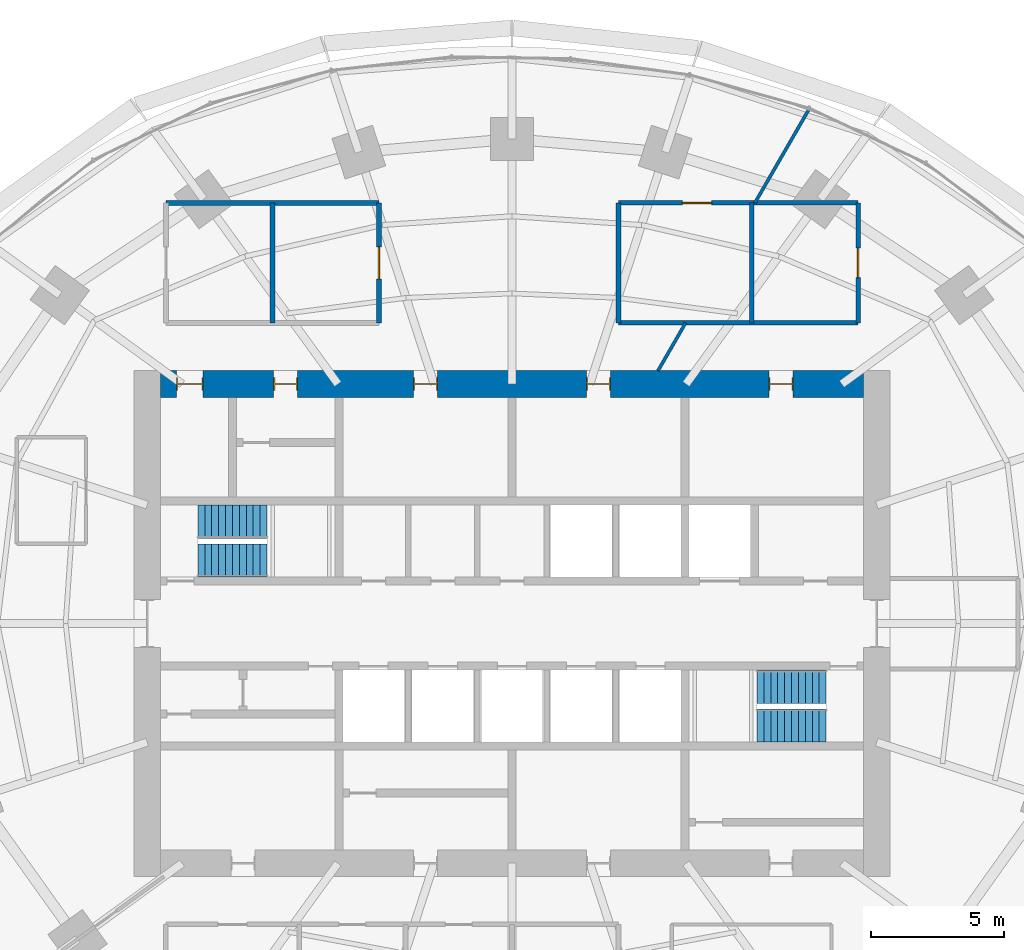
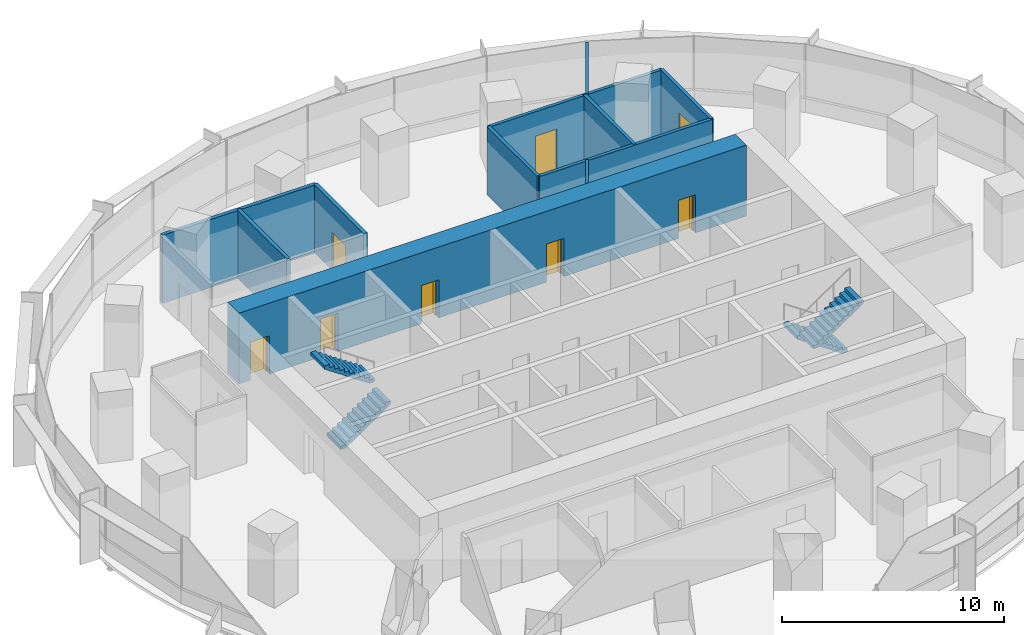
# One storey, part 12 of 14: 11 walls, 8 doors, 4 stair flights, 8 openings, 2 elements without a shape of their own.
"""IFC4 building model written with IfcOpenShell, lengths in metres."""

import ifcopenshell
import ifcopenshell.guid

model = None  # the IFC model being written
_history = None  # IfcOwnerHistory: only IFC2X3 demands one
_inside = {}  # id of a spatial element -> (the spatial element, [elements in it])
_under = {}  # id of a project, library or spatial element -> (it, [spatial elements below it])
_declared = {}  # id of a project -> (the project, [libraries it declares])
_typed = {}  # id of a type object -> (the type object, [elements of that type])
_made_of = {}  # id of a material, layer set ... -> (it, [elements and type objects made of it])


def new_model(schema):
    """Start an empty IFC model of exactly this schema.

    Asked for "IFC4X3", IfcOpenShell would pick the latest addendum, in which some entities
    have other attributes; the version numbers below select the first issue.
    IFC2X3 requires an IfcOwnerHistory on every rooted entity: one is made here for all.
    """
    global model, _history
    if schema == "IFC4X3":
        model = ifcopenshell.file(schema_version=(4, 3, 0, 0))
    else:
        model = ifcopenshell.file(schema=schema)
    _inside.clear()
    _under.clear()
    _declared.clear()
    _typed.clear()
    _made_of.clear()
    _history = None
    if model.schema == "IFC2X3":
        org = make("IfcOrganization", Name="unknown")
        user = make(
            "IfcPersonAndOrganization",
            ThePerson=make("IfcPerson", FamilyName="unknown"),
            TheOrganization=org,
        )
        app = make(
            "IfcApplication",
            ApplicationDeveloper=org,
            Version="unknown",
            ApplicationFullName="unknown",
            ApplicationIdentifier="unknown",
        )
        _history = make(
            "IfcOwnerHistory",
            OwningUser=user,
            OwningApplication=app,
            ChangeAction="ADDED",
            CreationDate=0,
        )
    return model


def make(cls, **values):
    """One entity of the class cls with the attributes given. An attribute that is None is left unset."""
    return model.create_entity(
        cls, **{name: value for name, value in values.items() if value is not None}
    )


def rooted(cls, **values):
    """An entity with a GlobalId (a new one), such as an element, a storey or a relation."""
    return make(cls, GlobalId=ifcopenshell.guid.new(), OwnerHistory=_history, **values)


def si_unit(unit_type, name, prefix=None):
    """IfcSIUnit, for example si_unit("LENGTHUNIT", "METRE", prefix="MILLI")."""
    return make("IfcSIUnit", UnitType=unit_type, Prefix=prefix, Name=name)


def assignment(units):
    """IfcUnitAssignment: the units of a project."""
    return None if units is None else make("IfcUnitAssignment", Units=units)


def point(xyz):
    """IfcCartesianPoint."""
    return None if xyz is None else make("IfcCartesianPoint", Coordinates=xyz)


def direction(xyz):
    """IfcDirection."""
    return None if xyz is None else make("IfcDirection", DirectionRatios=xyz)


def frame(location, z_axis=None, x_axis=None):
    """IfcAxis2Placement3D, a coordinate frame: its origin and axes. An axis left out is left unset."""
    return make(
        "IfcAxis2Placement3D",
        Location=point(location),
        Axis=direction(z_axis),
        RefDirection=direction(x_axis),
    )


def frame_2d(location, x_axis=None):
    """IfcAxis2Placement2D, a coordinate frame in the plane: its origin and x axis."""
    return make(
        "IfcAxis2Placement2D", Location=point(location), RefDirection=direction(x_axis)
    )


def origin():
    """The frame at (0, 0, 0) with its axes left unset."""
    return frame((0.0, 0.0, 0.0))


def place(relative_to, where):
    """IfcLocalPlacement: puts the frame where relative to a parent placement (None: the world)."""
    return make(
        "IfcLocalPlacement", PlacementRelTo=relative_to, RelativePlacement=where
    )


def context(
    kind, dimensions, precision=None, world=None, true_north=None, identifier=None
):
    """IfcGeometricRepresentationContext, for example the 3D "Model" context."""
    return make(
        "IfcGeometricRepresentationContext",
        ContextIdentifier=identifier,
        ContextType=kind,
        CoordinateSpaceDimension=dimensions,
        Precision=precision,
        WorldCoordinateSystem=world,
        TrueNorth=true_north,
    )


def subcontext(parent, identifier, kind, view, scale=None):
    """IfcGeometricRepresentationSubContext, for example "Body" below "Model"."""
    return make(
        "IfcGeometricRepresentationSubContext",
        ContextIdentifier=identifier,
        ContextType=kind,
        ParentContext=parent,
        TargetScale=scale,
        TargetView=view,
    )


def project(units=None, contexts=None):
    """IfcProject with its units and contexts."""
    return rooted(
        "IfcProject",
        Name="project",
        RepresentationContexts=contexts,
        UnitsInContext=assignment(units),
    )


def spatial(cls, under=None, at=None, **own):
    """A site, building, storey or space (cls), placed at a placement, below another one or the project."""
    s = rooted(cls, ObjectPlacement=at, **own)
    if under is not None:
        _under.setdefault(under.id(), (under, []))[1].append(s)
    return s


def polyline(points):
    """IfcPolyline through the points."""
    return make("IfcPolyline", Points=[point(p) for p in points])


def profile(cls, at=None, kind="AREA", **sizes):
    """A parametric profile (cls). Its sizes go by their IFC names, for example OverallWidth=200.0."""
    return make(cls, ProfileType=kind, Position=at, **sizes)


def rectangle(**sizes):
    """IfcRectangleProfileDef."""
    return profile("IfcRectangleProfileDef", **sizes)


def outline(outer, holes=None, kind="AREA"):
    """IfcArbitraryClosedProfileDef: a profile drawn as a closed curve; with holes, ...WithVoids."""
    if holes is None:
        return make("IfcArbitraryClosedProfileDef", ProfileType=kind, OuterCurve=outer)
    return make(
        "IfcArbitraryProfileDefWithVoids",
        ProfileType=kind,
        OuterCurve=outer,
        InnerCurves=holes,
    )


def extrude(swept, where, along, depth):
    """IfcExtrudedAreaSolid: the profile swept, set in the frame where, extruded along a direction by depth."""
    return make(
        "IfcExtrudedAreaSolid",
        SweptArea=swept,
        Position=where,
        ExtrudedDirection=direction(along),
        Depth=depth,
    )


def shape(context_of_items, identifier, shape_type, items):
    """IfcShapeRepresentation: the items that make up one representation, for example the "Body"."""
    return make(
        "IfcShapeRepresentation",
        ContextOfItems=context_of_items,
        RepresentationIdentifier=identifier,
        RepresentationType=shape_type,
        Items=items,
    )


def material(Name=None, Category=None):
    """IfcMaterial."""
    return make("IfcMaterial", Name=Name, Category=Category)


def layer(
    of_material, thickness, ventilated=None, Name=None, Category=None, Priority=None
):
    """IfcMaterialLayer: one layer of a wall or slab, of a material (None: an air gap)."""
    return make(
        "IfcMaterialLayer",
        Material=of_material,
        LayerThickness=thickness,
        IsVentilated=ventilated,
        Name=Name,
        Category=Category,
        Priority=Priority,
    )


def layer_set(layers, Name=None):
    """IfcMaterialLayerSet."""
    return make("IfcMaterialLayerSet", MaterialLayers=layers, LayerSetName=Name)


def made_of(thing, what):
    """Note that an element or type object is made of a material, layer set ...; save() writes the relation."""
    if what is not None:
        _made_of.setdefault(what.id(), (what, []))[1].append(thing)
    return thing


def type_object(cls, material=None, **own):
    """A type object (cls), such as IfcWallType, which elements share."""
    return made_of(rooted(cls, **own), material)


def element(
    cls,
    number,
    at=None,
    inside=None,
    cuts=None,
    type_object=None,
    material=None,
    context=None,
    identifier="Body",
    shape_type=None,
    held_by="IfcProductDefinitionShape",
    body=None,
    shapes=None,
    **own,
):
    """One element of the class cls, such as IfcWall. Its Tag is "e" and its number.

    at: its placement. inside: the storey or other place that contains it. cuts: it is an
    opening in that element (IfcRelVoidsElement). A single representation is given by context,
    identifier, shape_type and body (its items); several are given by shapes. held_by: the class
    of the entity that holds the representations. save() writes the other relations.
    """
    e = rooted(cls, Tag="e%d" % number, ObjectPlacement=at, **own)
    if body is not None:
        shapes = [shape(context, identifier, shape_type, body)]
    if shapes is not None:
        e.Representation = make(held_by, Representations=shapes)
    if inside is not None:
        _inside.setdefault(inside.id(), (inside, []))[1].append(e)
    if cuts is not None:
        rooted(
            "IfcRelVoidsElement", RelatingBuildingElement=cuts, RelatedOpeningElement=e
        )
    if type_object is not None:
        _typed.setdefault(type_object.id(), (type_object, []))[1].append(e)
    return made_of(e, material)


def fill(opening, filler):
    """IfcRelFillsElement: the door or window that sits in an opening."""
    return rooted(
        "IfcRelFillsElement",
        RelatingOpeningElement=opening,
        RelatedBuildingElement=filler,
    )


def aggregate(whole, parts):
    """IfcRelAggregates: a whole, such as a stair, and the parts it consists of."""
    return rooted("IfcRelAggregates", RelatingObject=whole, RelatedObjects=parts)


def save(model, path):
    """Write the relations noted so far, then the file.

    IfcRelAggregates (storeys below a building ...), IfcRelContainedInSpatialStructure (elements
    in a storey), IfcRelDefinesByType, IfcRelAssociatesMaterial and IfcRelDeclares: one each for
    every whole, place, type object, material and project.
    """
    for whole, parts in _under.values():
        aggregate(whole, parts)
    for where, things in _inside.values():
        rooted(
            "IfcRelContainedInSpatialStructure",
            RelatedElements=things,
            RelatingStructure=where,
        )
    for kind, things in _typed.values():
        rooted("IfcRelDefinesByType", RelatedObjects=things, RelatingType=kind)
    for what, things in _made_of.values():
        rooted("IfcRelAssociatesMaterial", RelatedObjects=things, RelatingMaterial=what)
    for by, libraries in _declared.values():
        rooted("IfcRelDeclares", RelatingContext=by, RelatedDefinitions=libraries)
    model.write(path)


model = new_model("IFC4")

# Units and contexts
model_context = context("Model", 3, precision=1e-05, world=origin(), true_north=direction((0.0, 1.0)))
body_context = subcontext(model_context, "Body", "Model", "MODEL_VIEW")
ifc_project = project(units=[si_unit("LENGTHUNIT", "METRE"), si_unit("AREAUNIT", "SQUARE_METRE"), si_unit("VOLUMEUNIT", "CUBIC_METRE"), si_unit("PLANEANGLEUNIT", "RADIAN"), si_unit("MASSUNIT", "GRAM", prefix="KILO")], contexts=[model_context])

# Site, building, storey
site_placement = place(None, origin())
site = spatial("IfcSite", under=ifc_project, at=site_placement, CompositionType="ELEMENT")
building_placement = place(site_placement, origin())
building = spatial("IfcBuilding", under=site, at=building_placement, Name="Marramba Exchange Tower", CompositionType="ELEMENT")
storey_placement = place(building_placement, frame((0.0, 0.0, 135.300048828125)))
storey = spatial("IfcBuildingStorey", under=building, at=storey_placement, Name="L32", CompositionType="ELEMENT", Elevation=135.300048828125)

# Wall, opening, door
ifc_material_1 = material(Name="Plasterboard on staggered double steel studs, acoustic insulation", Category="steel")
ifc_layer_1 = layer(ifc_material_1, 0.169921875)
ifc_layer_set_1 = layer_set([ifc_layer_1], Name="Acoustic partition 170")
wall_type_1 = type_object("IfcWallType", Name="Acoustic partition 170", PredefinedType="PARTITIONING", material=ifc_layer_set_1)
wall_1_placement = place(storey_placement, frame((13.0, 11.300048828125, 0.0), z_axis=(0.0, 0.0, 1.0), x_axis=(0.0, 1.0, 0.0)))
wall_1 = element("IfcWall", 1, at=wall_1_placement, inside=storey, type_object=wall_type_1, Name="Acoustic partition L32 16", PredefinedType="PARTITIONING", context=body_context, shape_type="SweptSolid", body=[
    extrude(rectangle(XDim=4.5, YDim=0.169921875, at=frame_2d((2.25, 0.0))), origin(), (0.0, 0.0, 1.0), 3.739990234375),
])
opening_1_placement = place(wall_1_placement, frame((1.699951171875, 0.0, 0.0)))
opening_1 = element("IfcOpeningElement", 2, at=opening_1_placement, cuts=wall_1, Name="Opening D15", PredefinedType="OPENING", context=body_context, shape_type="SweptSolid", body=[
    extrude(rectangle(XDim=1.10009765625, YDim=2.39990234375, at=frame_2d((0.550048828125, 1.199951171875))), frame((0.0, 0.094970703125, 0.0), z_axis=(0.0, -1.0, 0.0), x_axis=(1.0, 0.0, 0.0)), (0.0, 0.0, 1.0), 0.18994140625),
])
ifc_material_2 = material(Name="Timber door", Category="wood")
door_type_1 = type_object("IfcDoorType", Name="Glazed meeting room door 1100x2400", OperationType="SINGLE_SWING_LEFT", PredefinedType="DOOR", material=ifc_material_2)
door_1_placement = place(opening_1_placement, origin())
door_1 = element("IfcDoor", 3, at=door_1_placement, inside=storey, type_object=door_type_1, Name="D15 Meeting Room 2 L32", OperationType="SINGLE_SWING_RIGHT", OverallHeight=2.39990234375, OverallWidth=1.10009765625, PredefinedType="DOOR", context=body_context, shape_type="SweptSolid", body=[
    extrude(rectangle(XDim=1.10009765625, YDim=2.39990234375, at=frame_2d((0.550048828125, 1.199951171875))), frame((0.0, 0.02490234375, 0.0), z_axis=(0.0, -1.0, 0.0), x_axis=(1.0, 0.0, 0.0)), (0.0, 0.0, 1.0), 0.050048828125),
])
fill(opening_1, door_1)

# Walls
wall_2_placement = place(storey_placement, frame((4.0, 11.300048828125, 0.0), z_axis=(0.0, 0.0, 1.0), x_axis=(1.0, 0.0, 0.0)))
element("IfcWall", 4, at=wall_2_placement, inside=storey, type_object=wall_type_1, Name="Acoustic partition L32 17", PredefinedType="PARTITIONING", context=body_context, shape_type="SweptSolid", body=[
    extrude(rectangle(XDim=9.0, YDim=0.169921875, at=frame_2d((4.5, 0.0))), origin(), (0.0, 0.0, 1.0), 3.739990234375),
])
wall_3_placement = place(storey_placement, frame((9.0, 15.800048828125, 0.0), z_axis=(0.0, 0.0, 1.0), x_axis=(0.0, -1.0, 0.0)))
element("IfcWall", 5, at=wall_3_placement, inside=storey, type_object=wall_type_1, Name="Acoustic partition L32 18", PredefinedType="PARTITIONING", context=body_context, shape_type="SweptSolid", body=[
    extrude(rectangle(XDim=4.5, YDim=0.169921875, at=frame_2d((2.25, 0.0))), origin(), (0.0, 0.0, 1.0), 3.739990234375),
])

# Wall, opening, door
wall_4_placement = place(storey_placement, frame((13.0, 15.800048828125, 0.0), z_axis=(0.0, 0.0, 1.0), x_axis=(-1.0, 0.0, 0.0)))
wall_4 = element("IfcWall", 6, at=wall_4_placement, inside=storey, type_object=wall_type_1, Name="Acoustic partition L32 21", PredefinedType="PARTITIONING", context=body_context, shape_type="SweptSolid", body=[
    extrude(rectangle(XDim=9.0, YDim=0.169921875, at=frame_2d((4.5, 0.0))), origin(), (0.0, 0.0, 1.0), 3.739990234375),
])
opening_2_placement = place(wall_4_placement, frame((5.5, 0.0, 0.0)))
opening_2 = element("IfcOpeningElement", 7, at=opening_2_placement, cuts=wall_4, Name="Opening D15", PredefinedType="OPENING", context=body_context, shape_type="SweptSolid", body=[
    extrude(rectangle(XDim=1.10009765625, YDim=2.39990234375, at=frame_2d((0.550048828125, 1.199951171875))), frame((0.0, 0.094970703125, 0.0), z_axis=(0.0, -1.0, 0.0), x_axis=(1.0, 0.0, 0.0)), (0.0, 0.0, 1.0), 0.18994140625),
])
door_2_placement = place(opening_2_placement, origin())
door_2 = element("IfcDoor", 8, at=door_2_placement, inside=storey, type_object=door_type_1, Name="D15 Meeting Room 1 L32", OperationType="SINGLE_SWING_LEFT", OverallHeight=2.39990234375, OverallWidth=1.10009765625, PredefinedType="DOOR", context=body_context, shape_type="SweptSolid", body=[
    extrude(rectangle(XDim=1.10009765625, YDim=2.39990234375, at=frame_2d((0.550048828125, 1.199951171875))), frame((0.0, 0.02490234375, 0.0), z_axis=(0.0, -1.0, 0.0), x_axis=(1.0, 0.0, 0.0)), (0.0, 0.0, 1.0), 0.050048828125),
])
fill(opening_2, door_2)

# Wall
wall_5_placement = place(storey_placement, frame((4.0, 15.800048828125, 0.0), z_axis=(0.0, 0.0, 1.0), x_axis=(0.0, -1.0, 0.0)))
element("IfcWall", 9, at=wall_5_placement, inside=storey, type_object=wall_type_1, Name="Acoustic partition L32 22", PredefinedType="PARTITIONING", context=body_context, shape_type="SweptSolid", body=[
    extrude(rectangle(XDim=4.5, YDim=0.169921875, at=frame_2d((2.25, 0.0))), origin(), (0.0, 0.0, 1.0), 3.739990234375),
])

# Wall, openings, doors
ifc_material_3 = material(Name="Concrete N50", Category="concrete")
ifc_layer_2 = layer(ifc_material_3, 1.0)
ifc_layer_set_2 = layer_set([ifc_layer_2], Name="Core wall 1000")
wall_type_2 = type_object("IfcWallType", Name="Core wall 1000", PredefinedType="SHEAR", material=ifc_layer_set_2)
wall_6_placement = place(storey_placement, frame((13.199951171875, 9.0, 0.0), z_axis=(0.0, 0.0, 1.0), x_axis=(-1.0, 0.0, 0.0)))
wall_6 = element("IfcWall", 10, at=wall_6_placement, inside=storey, type_object=wall_type_2, Name="Core wall N L32", PredefinedType="SHEAR", context=body_context, shape_type="SweptSolid", body=[
    extrude(rectangle(XDim=26.39990234375, YDim=1.0, at=frame_2d((13.199951171875, 0.0))), origin(), (0.0, 0.0, 1.0), 3.89990234375),
])
opening_3_placement = place(wall_6_placement, frame((2.64990234375, 0.0, 0.0)))
opening_3 = element("IfcOpeningElement", 11, at=opening_3_placement, cuts=wall_6, Name="Opening D5", PredefinedType="OPENING", context=body_context, shape_type="SweptSolid", body=[
    extrude(rectangle(XDim=0.89990234375, YDim=2.10009765625, at=frame_2d((0.449951171875, 1.050048828125))), frame((0.0, 0.510009765625, 0.0), z_axis=(0.0, -1.0, 0.0), x_axis=(1.0, 0.0, 0.0)), (0.0, 0.0, 1.0), 1.02001953125),
])
opening_4_placement = place(wall_6_placement, frame((9.5, 0.0, 0.0)))
opening_4 = element("IfcOpeningElement", 12, at=opening_4_placement, cuts=wall_6, Name="Opening D3", PredefinedType="OPENING", context=body_context, shape_type="SweptSolid", body=[
    extrude(rectangle(XDim=0.89990234375, YDim=2.10009765625, at=frame_2d((0.449951171875, 1.050048828125))), frame((0.0, 0.510009765625, 0.0), z_axis=(0.0, -1.0, 0.0), x_axis=(1.0, 0.0, 0.0)), (0.0, 0.0, 1.0), 1.02001953125),
])
opening_5_placement = place(wall_6_placement, frame((16.0, 0.0, 0.0)))
opening_5 = element("IfcOpeningElement", 13, at=opening_5_placement, cuts=wall_6, Name="Opening D3", PredefinedType="OPENING", context=body_context, shape_type="SweptSolid", body=[
    extrude(rectangle(XDim=0.89990234375, YDim=2.10009765625, at=frame_2d((0.449951171875, 1.050048828125))), frame((0.0, 0.510009765625, 0.0), z_axis=(0.0, -1.0, 0.0), x_axis=(1.0, 0.0, 0.0)), (0.0, 0.0, 1.0), 1.02001953125),
])
opening_6_placement = place(wall_6_placement, frame((21.25, 0.0, 0.0)))
opening_6 = element("IfcOpeningElement", 14, at=opening_6_placement, cuts=wall_6, Name="Opening D5", PredefinedType="OPENING", context=body_context, shape_type="SweptSolid", body=[
    extrude(rectangle(XDim=0.89990234375, YDim=2.10009765625, at=frame_2d((0.449951171875, 1.050048828125))), frame((0.0, 0.510009765625, 0.0), z_axis=(0.0, -1.0, 0.0), x_axis=(1.0, 0.0, 0.0)), (0.0, 0.0, 1.0), 1.02001953125),
])
opening_7_placement = place(wall_6_placement, frame((24.800048828125, 0.0, 0.0)))
opening_7 = element("IfcOpeningElement", 15, at=opening_7_placement, cuts=wall_6, Name="Opening D4", PredefinedType="OPENING", context=body_context, shape_type="SweptSolid", body=[
    extrude(rectangle(XDim=1.0, YDim=2.10009765625, at=frame_2d((0.5, 1.050048828125))), frame((0.0, 0.510009765625, 0.0), z_axis=(0.0, -1.0, 0.0), x_axis=(1.0, 0.0, 0.0)), (0.0, 0.0, 1.0), 1.02001953125),
])
ifc_material_4 = material(Name="Steel-framed door", Category="steel")
door_type_2 = type_object("IfcDoorType", Name="Accessible toilet door 1000x2100", OperationType="SINGLE_SWING_LEFT", PredefinedType="DOOR", material=ifc_material_4)
door_3_placement = place(opening_7_placement, origin())
door_3 = element("IfcDoor", 16, at=door_3_placement, inside=storey, type_object=door_type_2, Name="D4 awc L32", OperationType="SINGLE_SWING_RIGHT", OverallHeight=2.10009765625, OverallWidth=1.0, PredefinedType="DOOR", context=body_context, shape_type="SweptSolid", body=[
    extrude(rectangle(XDim=0.919921875, YDim=2.06005859375, at=frame_2d((0.5, 1.030029296875))), frame((0.0, 0.02490234375, 0.0), z_axis=(0.0, -1.0, 0.0), x_axis=(1.0, 0.0, 0.0)), (0.0, 0.0, 1.0), 0.050048828125),
    extrude(rectangle(XDim=0.04, YDim=2.10009765625, at=frame_2d((0.02001953125, 1.050048828125))), frame((0.0, 0.25, 0.0), z_axis=(0.0, -1.0, 0.0), x_axis=(1.0, 0.0, 0.0)), (0.0, 0.0, 1.0), 0.5),
    extrude(rectangle(XDim=0.04, YDim=2.10009765625, at=frame_2d((0.97998046875, 1.050048828125))), frame((0.0, 0.25, 0.0), z_axis=(0.0, -1.0, 0.0), x_axis=(1.0, 0.0, 0.0)), (0.0, 0.0, 1.0), 0.5),
    extrude(rectangle(XDim=0.919921875, YDim=0.04, at=frame_2d((0.5, 2.080078125))), frame((0.0, 0.25, 0.0), z_axis=(0.0, -1.0, 0.0), x_axis=(1.0, 0.0, 0.0)), (0.0, 0.0, 1.0), 0.5),
])
fill(opening_7, door_3)
door_type_3 = type_object("IfcDoorType", Name="Service door 900x2100", OperationType="SINGLE_SWING_LEFT", PredefinedType="DOOR", material=ifc_material_4)
door_4_placement = place(opening_3_placement, origin())
door_4 = element("IfcDoor", 17, at=door_4_placement, inside=storey, type_object=door_type_3, Name="D5 comms L32", OperationType="SINGLE_SWING_LEFT", OverallHeight=2.10009765625, OverallWidth=0.89990234375, PredefinedType="DOOR", context=body_context, shape_type="SweptSolid", body=[
    extrude(rectangle(XDim=0.81982421875, YDim=2.06005859375, at=frame_2d((0.449951171875, 1.030029296875))), frame((0.0, 0.02490234375, 0.0), z_axis=(0.0, -1.0, 0.0), x_axis=(1.0, 0.0, 0.0)), (0.0, 0.0, 1.0), 0.050048828125),
    extrude(rectangle(XDim=0.04, YDim=2.10009765625, at=frame_2d((0.02001953125, 1.050048828125))), frame((0.0, 0.25, 0.0), z_axis=(0.0, -1.0, 0.0), x_axis=(1.0, 0.0, 0.0)), (0.0, 0.0, 1.0), 0.5),
    extrude(rectangle(XDim=0.04, YDim=2.10009765625, at=frame_2d((0.8798828125, 1.050048828125))), frame((0.0, 0.25, 0.0), z_axis=(0.0, -1.0, 0.0), x_axis=(1.0, 0.0, 0.0)), (0.0, 0.0, 1.0), 0.5),
    extrude(rectangle(XDim=0.81982421875, YDim=0.04, at=frame_2d((0.449951171875, 2.080078125))), frame((0.0, 0.25, 0.0), z_axis=(0.0, -1.0, 0.0), x_axis=(1.0, 0.0, 0.0)), (0.0, 0.0, 1.0), 0.5),
])
fill(opening_3, door_4)
door_5_placement = place(opening_6_placement, origin())
door_5 = element("IfcDoor", 18, at=door_5_placement, inside=storey, type_object=door_type_3, Name="D5 cleaner L32", OperationType="SINGLE_SWING_RIGHT", OverallHeight=2.10009765625, OverallWidth=0.89990234375, PredefinedType="DOOR", context=body_context, shape_type="SweptSolid", body=[
    extrude(rectangle(XDim=0.81982421875, YDim=2.06005859375, at=frame_2d((0.449951171875, 1.030029296875))), frame((0.0, 0.02490234375, 0.0), z_axis=(0.0, -1.0, 0.0), x_axis=(1.0, 0.0, 0.0)), (0.0, 0.0, 1.0), 0.050048828125),
    extrude(rectangle(XDim=0.04, YDim=2.10009765625, at=frame_2d((0.02001953125, 1.050048828125))), frame((0.0, 0.25, 0.0), z_axis=(0.0, -1.0, 0.0), x_axis=(1.0, 0.0, 0.0)), (0.0, 0.0, 1.0), 0.5),
    extrude(rectangle(XDim=0.04, YDim=2.10009765625, at=frame_2d((0.8798828125, 1.050048828125))), frame((0.0, 0.25, 0.0), z_axis=(0.0, -1.0, 0.0), x_axis=(1.0, 0.0, 0.0)), (0.0, 0.0, 1.0), 0.5),
    extrude(rectangle(XDim=0.81982421875, YDim=0.04, at=frame_2d((0.449951171875, 2.080078125))), frame((0.0, 0.25, 0.0), z_axis=(0.0, -1.0, 0.0), x_axis=(1.0, 0.0, 0.0)), (0.0, 0.0, 1.0), 0.5),
])
fill(opening_6, door_5)
door_type_4 = type_object("IfcDoorType", Name="Toilet door 900x2100", OperationType="SINGLE_SWING_LEFT", PredefinedType="DOOR", material=ifc_material_4)
door_6_placement = place(opening_4_placement, origin())
door_6 = element("IfcDoor", 19, at=door_6_placement, inside=storey, type_object=door_type_4, Name="D3 wc-f L32", OperationType="SINGLE_SWING_RIGHT", OverallHeight=2.10009765625, OverallWidth=0.89990234375, PredefinedType="DOOR", context=body_context, shape_type="SweptSolid", body=[
    extrude(rectangle(XDim=0.81982421875, YDim=2.06005859375, at=frame_2d((0.449951171875, 1.030029296875))), frame((0.0, 0.02490234375, 0.0), z_axis=(0.0, -1.0, 0.0), x_axis=(1.0, 0.0, 0.0)), (0.0, 0.0, 1.0), 0.050048828125),
    extrude(rectangle(XDim=0.04, YDim=2.10009765625, at=frame_2d((0.02001953125, 1.050048828125))), frame((0.0, 0.25, 0.0), z_axis=(0.0, -1.0, 0.0), x_axis=(1.0, 0.0, 0.0)), (0.0, 0.0, 1.0), 0.5),
    extrude(rectangle(XDim=0.04, YDim=2.10009765625, at=frame_2d((0.8798828125, 1.050048828125))), frame((0.0, 0.25, 0.0), z_axis=(0.0, -1.0, 0.0), x_axis=(1.0, 0.0, 0.0)), (0.0, 0.0, 1.0), 0.5),
    extrude(rectangle(XDim=0.81982421875, YDim=0.04, at=frame_2d((0.449951171875, 2.080078125))), frame((0.0, 0.25, 0.0), z_axis=(0.0, -1.0, 0.0), x_axis=(1.0, 0.0, 0.0)), (0.0, 0.0, 1.0), 0.5),
])
fill(opening_4, door_6)
door_7_placement = place(opening_5_placement, origin())
door_7 = element("IfcDoor", 20, at=door_7_placement, inside=storey, type_object=door_type_4, Name="D3 wc-m L32", OperationType="SINGLE_SWING_RIGHT", OverallHeight=2.10009765625, OverallWidth=0.89990234375, PredefinedType="DOOR", context=body_context, shape_type="SweptSolid", body=[
    extrude(rectangle(XDim=0.81982421875, YDim=2.06005859375, at=frame_2d((0.449951171875, 1.030029296875))), frame((0.0, 0.02490234375, 0.0), z_axis=(0.0, -1.0, 0.0), x_axis=(1.0, 0.0, 0.0)), (0.0, 0.0, 1.0), 0.050048828125),
    extrude(rectangle(XDim=0.04, YDim=2.10009765625, at=frame_2d((0.02001953125, 1.050048828125))), frame((0.0, 0.25, 0.0), z_axis=(0.0, -1.0, 0.0), x_axis=(1.0, 0.0, 0.0)), (0.0, 0.0, 1.0), 0.5),
    extrude(rectangle(XDim=0.04, YDim=2.10009765625, at=frame_2d((0.8798828125, 1.050048828125))), frame((0.0, 0.25, 0.0), z_axis=(0.0, -1.0, 0.0), x_axis=(1.0, 0.0, 0.0)), (0.0, 0.0, 1.0), 0.5),
    extrude(rectangle(XDim=0.81982421875, YDim=0.04, at=frame_2d((0.449951171875, 2.080078125))), frame((0.0, 0.25, 0.0), z_axis=(0.0, -1.0, 0.0), x_axis=(1.0, 0.0, 0.0)), (0.0, 0.0, 1.0), 0.5),
])
fill(opening_5, door_7)

# Wall, opening, door
ifc_material_5 = material(Name="Core-filled concrete blockwork, rendered", Category="masonry")
ifc_layer_3 = layer(ifc_material_5, 0.18994140625)
ifc_layer_set_3 = layer_set([ifc_layer_3], Name="Equipment room wall 190")
wall_type_3 = type_object("IfcWallType", Name="Equipment room wall 190", PredefinedType="SOLIDWALL", material=ifc_layer_set_3)
wall_7_placement = place(storey_placement, frame((-5.0, 15.800048828125, 0.0), z_axis=(0.0, 0.0, 1.0), x_axis=(0.0, -1.0, 0.0)))
wall_7 = element("IfcWall", 21, at=wall_7_placement, inside=storey, type_object=wall_type_3, Name="Equipment room wall L32 23", PredefinedType="SOLIDWALL", context=body_context, shape_type="SweptSolid", body=[
    extrude(rectangle(XDim=4.5, YDim=0.18994140625, at=frame_2d((2.25, 0.0))), origin(), (0.0, 0.0, 1.0), 3.739990234375),
])
opening_8_placement = place(wall_7_placement, frame((1.64990234375, 0.0, 0.0)))
opening_8 = element("IfcOpeningElement", 22, at=opening_8_placement, cuts=wall_7, Name="Opening D16", PredefinedType="OPENING", context=body_context, shape_type="SweptSolid", body=[
    extrude(rectangle(XDim=1.199951171875, YDim=2.10009765625, at=frame_2d((0.60009765625, 1.050048828125))), frame((0.0, 0.10498046875, 0.0), z_axis=(0.0, -1.0, 0.0), x_axis=(1.0, 0.0, 0.0)), (0.0, 0.0, 1.0), 0.2099609375),
])
door_type_5 = type_object("IfcDoorType", Name="Equipment room door 1200x2100", OperationType="SINGLE_SWING_LEFT", PredefinedType="DOOR", material=ifc_material_4)
door_8_placement = place(opening_8_placement, frame((1.199951171875, 0.0, 0.0), z_axis=(0.0, 0.0, 1.0), x_axis=(-1.0, 0.0, 0.0)))
door_8 = element("IfcDoor", 23, at=door_8_placement, inside=storey, type_object=door_type_5, Name="D16 Data Room 2 L32", OperationType="SINGLE_SWING_RIGHT", OverallHeight=2.10009765625, OverallWidth=1.199951171875, PredefinedType="DOOR", context=body_context, shape_type="SweptSolid", body=[
    extrude(rectangle(XDim=1.199951171875, YDim=2.10009765625, at=frame_2d((0.599853515625, 1.050048828125))), frame((0.0, 0.025146484375, 0.0), z_axis=(0.0, -1.0, 0.0), x_axis=(1.0, 0.0, 0.0)), (0.0, 0.0, 1.0), 0.050048828125),
])
fill(opening_8, door_8)

# Walls
wall_8_placement = place(storey_placement, frame((-13.0, 15.800048828125, 0.0), z_axis=(0.0, 0.0, 1.0), x_axis=(1.0, 0.0, 0.0)))
element("IfcWall", 24, at=wall_8_placement, inside=storey, type_object=wall_type_3, Name="Equipment room wall L32 24", PredefinedType="SOLIDWALL", context=body_context, shape_type="SweptSolid", body=[
    extrude(rectangle(XDim=8.0, YDim=0.18994140625, at=frame_2d((4.0, 0.0))), origin(), (0.0, 0.0, 1.0), 3.739990234375),
])
wall_9_placement = place(storey_placement, frame((-9.0, 15.800048828125, 0.0), z_axis=(0.0, 0.0, 1.0), x_axis=(0.0, -1.0, 0.0)))
element("IfcWall", 25, at=wall_9_placement, inside=storey, type_object=wall_type_3, Name="Equipment room wall L32 25", PredefinedType="SOLIDWALL", context=body_context, shape_type="SweptSolid", body=[
    extrude(rectangle(XDim=4.5, YDim=0.18994140625, at=frame_2d((2.25, 0.0))), origin(), (0.0, 0.0, 1.0), 3.739990234375),
])
ifc_material_6 = material(Name="Plasterboard on steel studs", Category="steel")
ifc_layer_4 = layer(ifc_material_6, 0.1201171875)
ifc_layer_set_4 = layer_set([ifc_layer_4], Name="Partition 120")
wall_type_4 = type_object("IfcWallType", Name="Partition 120", PredefinedType="PARTITIONING", material=ifc_layer_set_4)
wall_10_placement = place(storey_placement, frame((11.13671875, 19.289306640625, 0.0), z_axis=(0.0, 0.0, 1.0), x_axis=(-0.500023174947, -0.866012023309, 0.0)))
element("IfcWall", 26, at=wall_10_placement, inside=storey, type_object=wall_type_4, Name="Partition L32 19", PredefinedType="PARTITIONING", context=body_context, shape_type="SweptSolid", body=[
    extrude(rectangle(XDim=4.029052734375, YDim=0.1201171875, at=frame_2d((2.0146484375, 0.0))), origin(), (0.0, 0.0, 1.0), 3.739990234375),
])
wall_11_placement = place(storey_placement, frame((6.52392578125, 11.300048828125, 0.0), z_axis=(0.0, 0.0, 1.0), x_axis=(-0.499929208183, -0.866066271601, 0.0)))
element("IfcWall", 27, at=wall_11_placement, inside=storey, type_object=wall_type_4, Name="Partition L32 20", PredefinedType="PARTITIONING", context=body_context, shape_type="SweptSolid", body=[
    extrude(rectangle(XDim=2.078369140625, YDim=0.1201171875, at=frame_2d((1.0390625, 0.0))), origin(), (0.0, 0.0, 1.0), 3.739990234375),
])

# Stair, stair flights
ifc_material_7 = material(Name="Concrete N40 (40 MPa)", Category="concrete")
stair_type_1 = type_object("IfcStairType", Name="Exit stair ST1 3900 x 1250", PredefinedType="HALF_TURN_STAIR", material=ifc_material_7)
stair_1_placement = place(storey_placement, origin())
stair_1 = element("IfcStair", 28, at=stair_1_placement, inside=storey, type_object=stair_type_1, Name="Exit stair ST1 L32", PredefinedType="HALF_TURN_STAIR")
stair_flight_type_1 = type_object("IfcStairFlightType", Name="ST1 stair flight 1773 riser 1250 wide", PredefinedType="STRAIGHT", material=ifc_material_7)
stair_flight_1_placement = place(storey_placement, frame((-11.800048828125, 2.375, 0.0), z_axis=(0.0, 0.0, 1.0), x_axis=(1.0, 0.0, 0.0)))
stair_flight_1 = element("IfcStairFlight", 29, at=stair_flight_1_placement, type_object=stair_flight_type_1, Name="ST1 flight 1", NumberOfRisers=11, NumberOfTreads=10, PredefinedType="STRAIGHT", RiserHeight=0.177272727, TreadLength=0.26, context=body_context, shape_type="SweptSolid", body=[
    extrude(outline(polyline([(0.0, 0.0), (0.0, 0.17724609375), (0.260009765625, 0.17724609375), (0.260009765625, 0.3544921875), (0.52001953125, 0.3544921875), (0.52001953125, 0.53173828125), (0.780029296875, 0.53173828125), (0.780029296875, 0.708984375), (1.0400390625, 0.708984375), (1.0400390625, 0.886474609375), (1.300048828125, 0.886474609375), (1.300048828125, 1.063720703125), (1.56005859375, 1.063720703125), (1.56005859375, 1.240966796875), (1.820068359375, 1.240966796875), (1.820068359375, 1.418212890625), (2.080078125, 1.418212890625), (2.080078125, 1.595458984375), (2.340087890625, 1.595458984375), (2.340087890625, 1.772705078125), (2.60009765625, 1.772705078125), (2.60009765625, 1.949951171875), (2.60009765625, 1.59130859375), (0.26611328125, 0.0), (0.0, 0.0)])), frame((0.0, 0.625, 0.0), z_axis=(0.0, -1.0, 0.0), x_axis=(1.0, 0.0, 0.0)), (0.0, 0.0, 1.0), 1.25),
])
stair_flight_2_placement = place(storey_placement, frame((-9.199951171875, 3.824951171875, 1.949951171875), z_axis=(0.0, 0.0, 1.0), x_axis=(-1.0, 0.0, 0.0)))
stair_flight_2 = element("IfcStairFlight", 30, at=stair_flight_2_placement, type_object=stair_flight_type_1, Name="ST1 flight 2", NumberOfRisers=11, NumberOfTreads=10, PredefinedType="STRAIGHT", RiserHeight=0.177272727, TreadLength=0.26, context=body_context, shape_type="SweptSolid", body=[
    extrude(outline(polyline([(0.0, 0.0), (0.0, 0.17724609375), (0.260009765625, 0.17724609375), (0.260009765625, 0.3544921875), (0.52001953125, 0.3544921875), (0.52001953125, 0.53173828125), (0.780029296875, 0.53173828125), (0.780029296875, 0.708984375), (1.0400390625, 0.708984375), (1.0400390625, 0.886474609375), (1.300048828125, 0.886474609375), (1.300048828125, 1.063720703125), (1.56005859375, 1.063720703125), (1.56005859375, 1.240966796875), (1.820068359375, 1.240966796875), (1.820068359375, 1.418212890625), (2.080078125, 1.418212890625), (2.080078125, 1.595458984375), (2.340087890625, 1.595458984375), (2.340087890625, 1.772705078125), (2.60009765625, 1.772705078125), (2.60009765625, 1.949951171875), (2.60009765625, 1.59130859375), (0.26611328125, 0.0), (0.0, 0.0)])), frame((0.0, 0.625, 0.0), z_axis=(0.0, -1.0, 0.0), x_axis=(1.0, 0.0, 0.0)), (0.0, 0.0, 1.0), 1.25),
])
aggregate(stair_1, [stair_flight_1, stair_flight_2])

stair_type_2 = type_object("IfcStairType", Name="Exit stair ST2 3900 x 1250", PredefinedType="HALF_TURN_STAIR", material=ifc_material_7)
stair_2_placement = place(storey_placement, origin())
stair_2 = element("IfcStair", 31, at=stair_2_placement, inside=storey, type_object=stair_type_2, Name="Exit stair ST2 L32", PredefinedType="HALF_TURN_STAIR")
stair_flight_type_2 = type_object("IfcStairFlightType", Name="ST2 stair flight 1773 riser 1250 wide", PredefinedType="STRAIGHT", material=ifc_material_7)
stair_flight_3_placement = place(storey_placement, frame((11.800048828125, -2.375, 0.0), z_axis=(0.0, 0.0, 1.0), x_axis=(-1.0, 0.0, 0.0)))
stair_flight_3 = element("IfcStairFlight", 32, at=stair_flight_3_placement, type_object=stair_flight_type_2, Name="ST2 flight 1", NumberOfRisers=11, NumberOfTreads=10, PredefinedType="STRAIGHT", RiserHeight=0.177272727, TreadLength=0.26, context=body_context, shape_type="SweptSolid", body=[
    extrude(outline(polyline([(0.0, 0.0), (0.0, 0.17724609375), (0.260009765625, 0.17724609375), (0.260009765625, 0.3544921875), (0.52001953125, 0.3544921875), (0.52001953125, 0.53173828125), (0.780029296875, 0.53173828125), (0.780029296875, 0.708984375), (1.0400390625, 0.708984375), (1.0400390625, 0.886474609375), (1.300048828125, 0.886474609375), (1.300048828125, 1.063720703125), (1.56005859375, 1.063720703125), (1.56005859375, 1.240966796875), (1.820068359375, 1.240966796875), (1.820068359375, 1.418212890625), (2.080078125, 1.418212890625), (2.080078125, 1.595458984375), (2.340087890625, 1.595458984375), (2.340087890625, 1.772705078125), (2.60009765625, 1.772705078125), (2.60009765625, 1.949951171875), (2.60009765625, 1.59130859375), (0.26611328125, 0.0), (0.0, 0.0)])), frame((0.0, 0.625, 0.0), z_axis=(0.0, -1.0, 0.0), x_axis=(1.0, 0.0, 0.0)), (0.0, 0.0, 1.0), 1.25),
])
stair_flight_4_placement = place(storey_placement, frame((9.199951171875, -3.824951171875, 1.949951171875), z_axis=(0.0, 0.0, 1.0), x_axis=(1.0, 0.0, 0.0)))
stair_flight_4 = element("IfcStairFlight", 33, at=stair_flight_4_placement, type_object=stair_flight_type_2, Name="ST2 flight 2", NumberOfRisers=11, NumberOfTreads=10, PredefinedType="STRAIGHT", RiserHeight=0.177272727, TreadLength=0.26, context=body_context, shape_type="SweptSolid", body=[
    extrude(outline(polyline([(0.0, 0.0), (0.0, 0.17724609375), (0.260009765625, 0.17724609375), (0.260009765625, 0.3544921875), (0.52001953125, 0.3544921875), (0.52001953125, 0.53173828125), (0.780029296875, 0.53173828125), (0.780029296875, 0.708984375), (1.0400390625, 0.708984375), (1.0400390625, 0.886474609375), (1.300048828125, 0.886474609375), (1.300048828125, 1.063720703125), (1.56005859375, 1.063720703125), (1.56005859375, 1.240966796875), (1.820068359375, 1.240966796875), (1.820068359375, 1.418212890625), (2.080078125, 1.418212890625), (2.080078125, 1.595458984375), (2.340087890625, 1.595458984375), (2.340087890625, 1.772705078125), (2.60009765625, 1.772705078125), (2.60009765625, 1.949951171875), (2.60009765625, 1.59130859375), (0.26611328125, 0.0), (0.0, 0.0)])), frame((0.0, 0.625, 0.0), z_axis=(0.0, -1.0, 0.0), x_axis=(1.0, 0.0, 0.0)), (0.0, 0.0, 1.0), 1.25),
])
aggregate(stair_2, [stair_flight_3, stair_flight_4])

save(model, "model.ifc")
